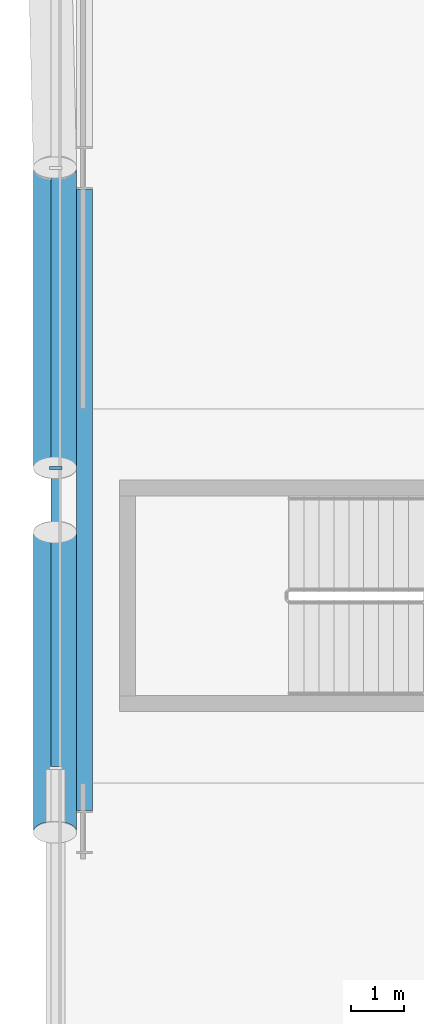
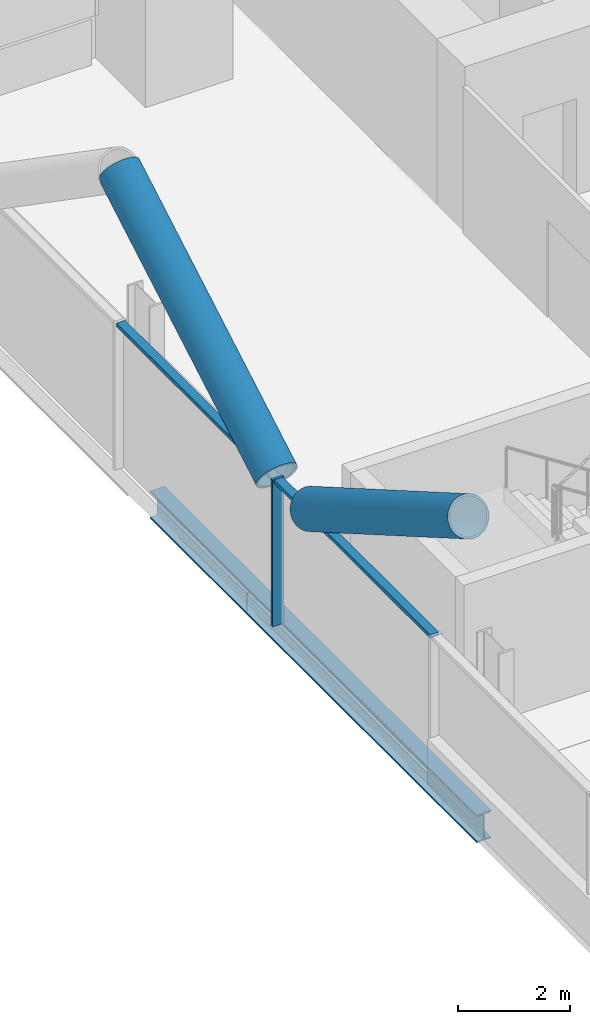
# One storey, part 6 of 26: 5 members, 1 beam, 1 element without a shape of its own.
"""IFC4 building model written with IfcOpenShell, lengths in metres."""

from ifc_helpers import new_model, si_unit, direction, frame, origin, origin_2d, place, context, subcontext, project, spatial, rectangle, hollow_circle, i_section, extrude, material, material_profile, profile_set, type_object, element, aggregate, save


model = new_model("IFC4")

# Units and contexts
model_context = context("Model", 3, precision=1e-05, world=origin(), true_north=direction((0.0, 1.0)))
body_context = subcontext(model_context, "Body", "Model", "MODEL_VIEW")
ifc_project = project(units=[si_unit("LENGTHUNIT", "METRE"), si_unit("AREAUNIT", "SQUARE_METRE"), si_unit("VOLUMEUNIT", "CUBIC_METRE"), si_unit("PLANEANGLEUNIT", "RADIAN"), si_unit("MASSUNIT", "GRAM", prefix="KILO")], contexts=[model_context])

# Site, building, storey
site_placement = place(None, origin())
site = spatial("IfcSite", under=ifc_project, at=site_placement, CompositionType="ELEMENT")
building_placement = place(site_placement, origin())
building = spatial("IfcBuilding", under=site, at=building_placement, Name="Wharfspan Tower", CompositionType="ELEMENT")
storey_placement = place(building_placement, frame((0.0, 0.0, 125.5)))
storey = spatial("IfcBuildingStorey", under=building, at=storey_placement, Name="L29", CompositionType="ELEMENT", Elevation=125.5)

# Beam
ifc_material_1 = material(Name="Steel S355J2", Category="steel")
ifc_material_profile_1 = material_profile(ifc_material_1, i_section(OverallWidth=0.300049, OverallDepth=0.600098, WebThickness=0.015381, FlangeThickness=0.030029, FilletRadius=0.0271, at=origin_2d()))
ifc_profile_set_1 = profile_set([ifc_material_profile_1], Name="Steel S355J2")
beam_type = type_object("IfcBeamType", Name="Edge beam HEB 600", PredefinedType="SPANDREL", material=ifc_profile_set_1)
beam_placement = place(storey_placement, frame((7.540039, 30.330322, -0.699951), z_axis=(0.0, -1.0, 0.0), x_axis=(1.0, 0.0, 0.0)))
element("IfcBeam", 1, at=beam_placement, inside=storey, type_object=beam_type, Name="Edge beam W L29 PW.1 to PW.2", PredefinedType="SPANDREL", context=body_context, shape_type="SweptSolid", body=[
    extrude(i_section(OverallWidth=0.300049, OverallDepth=0.600098, WebThickness=0.015381, FlangeThickness=0.030029, FilletRadius=0.0271, at=origin_2d()), origin(), (0.0, 0.0, 1.0), 11.660645),
])

# Curtain wall, member
ifc_material_2 = material(Name="Aluminium 6063-T6", Category="aluminium")
curtain_wall_type = type_object("IfcCurtainWallType", Name="CURTAIN WALL PROW AND END", PredefinedType="NOTDEFINED", material=ifc_material_2)
curtain_wall_placement = place(storey_placement, origin())
curtain_wall = element("IfcCurtainWall", 2, at=curtain_wall_placement, inside=storey, type_object=curtain_wall_type, Name="Curtain wall W", PredefinedType="NOTDEFINED")
ifc_material_profile_2 = material_profile(ifc_material_2, rectangle(XDim=0.23999, YDim=0.060059, at=origin_2d()))
ifc_profile_set_2 = profile_set([ifc_material_profile_2], Name="Aluminium 6063-T6")
member_type_1 = type_object("IfcMemberType", Name="MULLION PROW AND END 60x240", PredefinedType="MULLION", material=ifc_profile_set_2)
member_1_placement = place(storey_placement, frame((7.0, 25.100098, 0.0), z_axis=(0.0, 0.0, 1.0), x_axis=(1.0, 0.0, 0.0)))
member_1 = element("IfcMember", 3, at=member_1_placement, type_object=member_type_1, Name="Curtain wall W mullion 4", PredefinedType="MULLION", context=body_context, shape_type="SweptSolid", body=[
    extrude(rectangle(XDim=0.23999, YDim=0.060059, at=origin_2d()), origin(), (0.0, 0.0, 1.0), 3.199951),
])

# Members
ifc_material_3 = material(Name="Steel S460NH", Category="steel")
ifc_material_profile_3 = material_profile(ifc_material_3, hollow_circle(Radius=0.406494, WallThickness=0.040039, at=origin_2d()))
ifc_profile_set_3 = profile_set([ifc_material_profile_3], Name="Steel S460NH")
member_type_2 = type_object("IfcMemberType", Name="Mega brace CHS 813x40", PredefinedType="BRACE", material=ifc_profile_set_3)
for number, where, z_axis, x_axis, name in (
    (4, (6.985107, 23.894043, 3.25), (0.0, -0.865959, 0.500115), (1.0, 0.0, 0.0), "Mega brace W3 L29 part 2"),
    (5, (6.985107, 25.105957, 3.25), (0.0, 0.865959, 0.500115), (-1.0, 0.0, 0.0), "Mega brace W3 L29 part 4"),
):
    element("IfcMember", number, at=place(storey_placement, frame(where, z_axis=z_axis, x_axis=x_axis)), inside=storey, type_object=member_type_2, Name=name, PredefinedType="BRACE", context=body_context, shape_type="SweptSolid", body=[
        extrude(hollow_circle(Radius=0.406494, WallThickness=0.040039, at=origin_2d()), origin(), (0.0, 0.0, 1.0), 6.498535),
    ])

# Member
ifc_material_profile_4 = material_profile(ifc_material_2, rectangle(XDim=0.179932, YDim=0.080078, at=origin_2d()))
ifc_profile_set_4 = profile_set([ifc_material_profile_4], Name="Aluminium 6063-T6")
member_type_3 = type_object("IfcMemberType", Name="TRANSOM PROW AND END 80x180", PredefinedType="USERDEFINED", material=ifc_profile_set_4)
member_2_placement = place(storey_placement, frame((7.0, 30.703369, 3.159912), z_axis=(0.0, -1.0, 0.0), x_axis=(1.0, 0.0, 0.0)))
member_2 = element("IfcMember", 6, at=member_2_placement, type_object=member_type_3, Name="Curtain wall W transom 3", ObjectType="TRANSOM", PredefinedType="USERDEFINED", context=body_context, shape_type="SweptSolid", body=[
    extrude(rectangle(XDim=0.179932, YDim=0.080078, at=origin_2d()), origin(), (0.0, 0.0, 1.0), 5.573486),
])

member_3_placement = place(storey_placement, frame((7.0, 25.070068, 3.159912), z_axis=(0.0, -1.0, 0.0), x_axis=(1.0, 0.0, 0.0)))
member_3 = element("IfcMember", 7, at=member_3_placement, type_object=member_type_3, Name="Curtain wall W transom 4", ObjectType="TRANSOM", PredefinedType="USERDEFINED", context=body_context, shape_type="SweptSolid", body=[
    extrude(rectangle(XDim=0.179932, YDim=0.080078, at=origin_2d()), origin(), (0.0, 0.0, 1.0), 5.573486),
])

aggregate(curtain_wall, [member_1, member_2, member_3])

save(model, "model.ifc")
